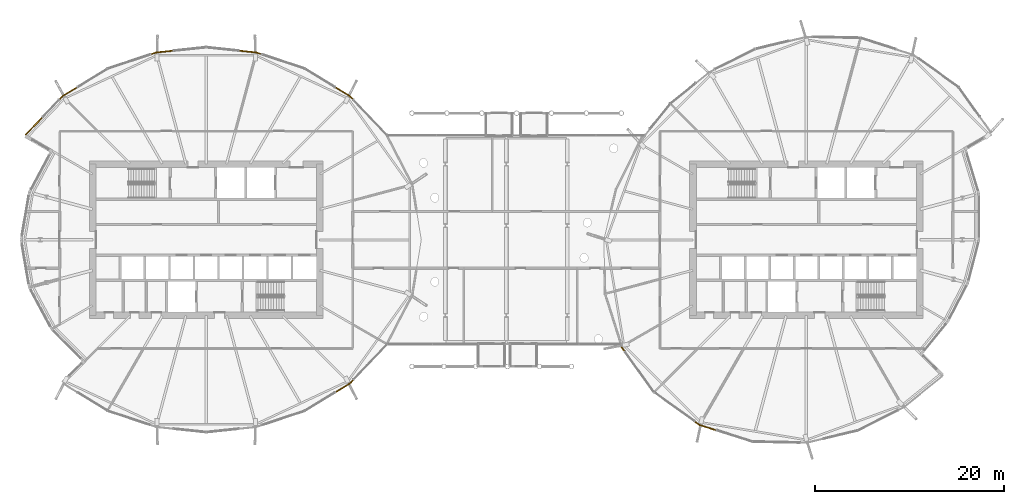
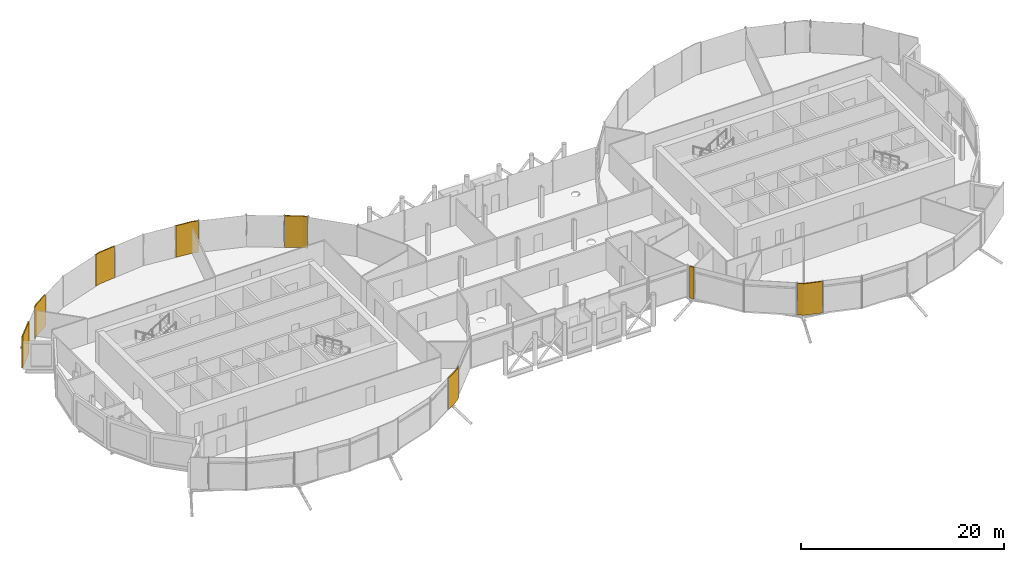
# One storey, part 38 of 40: 8 coverings.
"""IFC4 building model written with IfcOpenShell, lengths in metres."""

from ifc_helpers import new_model, si_unit, direction, frame, origin, place, context, subcontext, project, spatial, polyline, outline, extrude, material, layer, layer_set, type_object, element, save


model = new_model("IFC4")

# Units and contexts
model_context = context("Model", 3, precision=1e-05, world=origin(), true_north=direction((0.0, 1.0)))
body_context = subcontext(model_context, "Body", "Model", "MODEL_VIEW")
ifc_project = project(units=[si_unit("LENGTHUNIT", "METRE"), si_unit("AREAUNIT", "SQUARE_METRE"), si_unit("VOLUMEUNIT", "CUBIC_METRE"), si_unit("PLANEANGLEUNIT", "RADIAN"), si_unit("MASSUNIT", "GRAM", prefix="KILO")], contexts=[model_context])

# Site, building, storey
site_placement = place(None, origin())
site = spatial("IfcSite", under=ifc_project, at=site_placement, CompositionType="ELEMENT")
building_placement = place(site_placement, origin())
building = spatial("IfcBuilding", under=site, at=building_placement, Name="Rimbun Link Towers", CompositionType="ELEMENT")
storey_placement = place(building_placement, frame((0.0, 0.0, 150.60009765625)))
storey = spatial("IfcBuildingStorey", under=building, at=storey_placement, Name="L36", CompositionType="ELEMENT", Elevation=150.60009765625)

# Coverings
ifc_material = material(Name="Terracotta", Category="masonry")
ifc_layer = layer(ifc_material, 0.1201171875)
ifc_layer_set = layer_set([ifc_layer], Name="LINK PIER terracotta cladding 120")
covering_type = type_object("IfcCoveringType", Name="LINK PIER terracotta cladding 120", PredefinedType="CLADDING", material=ifc_layer_set)
covering_1_placement = place(storey_placement, origin())
element("IfcCovering", 1, at=covering_1_placement, inside=storey, type_object=covering_type, Name="LINK PIER cladding", PredefinedType="CLADDING", context=body_context, shape_type="SweptSolid", body=[
    extrude(outline(polyline([(-18.104248046875, 16.080322265625), (-16.595703125, 15.154296875), (-16.23583984375, 14.77880859375), (-16.1494140625, 14.86181640625), (-16.519775390625, 15.248291015625), (-18.04150390625, 16.1826171875), (-18.104248046875, 16.080322265625)])), origin(), (0.0, 0.0, 1.0), 3.7998046875),
])
covering_2_placement = place(storey_placement, origin())
element("IfcCovering", 2, at=covering_2_placement, inside=storey, type_object=covering_type, Name="LINK PIER cladding", PredefinedType="CLADDING", context=body_context, shape_type="SweptSolid", body=[
    extrude(outline(polyline([(-28.265869140625, 19.94873046875), (-26.455810546875, 19.758056640625), (-25.914794921875, 19.57861328125), (-25.877197265625, 19.692626953125), (-26.430419921875, 19.8759765625), (-28.25341796875, 20.06787109375), (-28.265869140625, 19.94873046875)])), origin(), (0.0, 0.0, 1.0), 3.7998046875),
])
covering_3_placement = place(storey_placement, origin())
element("IfcCovering", 3, at=covering_3_placement, inside=storey, type_object=covering_type, Name="LINK PIER cladding", PredefinedType="CLADDING", context=body_context, shape_type="SweptSolid", body=[
    extrude(outline(polyline([(-37.585205078125, 19.57861328125), (-37.044189453125, 19.758056640625), (-35.234130859375, 19.94873046875), (-35.24658203125, 20.06787109375), (-37.069580078125, 19.8759765625), (-37.622802734375, 19.692626953125), (-37.585205078125, 19.57861328125)])), origin(), (0.0, 0.0, 1.0), 3.7998046875),
])
covering_4_placement = place(storey_placement, origin())
element("IfcCovering", 4, at=covering_4_placement, inside=storey, type_object=covering_type, Name="LINK PIER cladding", PredefinedType="CLADDING", context=body_context, shape_type="SweptSolid", body=[
    extrude(outline(polyline([(-50.8359375, 11.052978515625), (-49.043701171875, 12.922607421875), (-49.13037109375, 13.005615234375), (-50.922607421875, 11.135986328125), (-50.8359375, 11.052978515625)])), origin(), (0.0, 0.0, 1.0), 3.7998046875),
])
covering_5_placement = place(storey_placement, origin())
element("IfcCovering", 5, at=covering_5_placement, inside=storey, type_object=covering_type, Name="LINK PIER cladding", PredefinedType="CLADDING", context=body_context, shape_type="SweptSolid", body=[
    extrude(outline(polyline([(-47.26416015625, 14.77880859375), (-46.904296875, 15.154296875), (-45.353271484375, 16.1064453125), (-45.416015625, 16.208740234375), (-46.980224609375, 15.248291015625), (-47.3505859375, 14.86181640625), (-47.26416015625, 14.77880859375)])), origin(), (0.0, 0.0, 1.0), 3.7998046875),
])
covering_6_placement = place(storey_placement, origin())
element("IfcCovering", 6, at=covering_6_placement, inside=storey, type_object=covering_type, Name="LINK PIER cladding", PredefinedType="CLADDING", context=body_context, shape_type="SweptSolid", body=[
    extrude(outline(polyline([(-16.23583984375, -14.77880859375), (-16.595703125, -15.154296875), (-18.104248046875, -16.080322265625), (-18.04150390625, -16.1826171875), (-16.519775390625, -15.248291015625), (-16.1494140625, -14.86181640625), (-16.23583984375, -14.77880859375)])), origin(), (0.0, 0.0, 1.0), 3.7998046875),
])
covering_7_placement = place(storey_placement, origin())
element("IfcCovering", 7, at=covering_7_placement, inside=storey, type_object=covering_type, Name="LINK PIER cladding", PredefinedType="CLADDING", context=body_context, shape_type="SweptSolid", body=[
    extrude(outline(polyline([(12.54296875, -11.744140625), (12.228271484375, -11.305419921875), (12.130615234375, -11.375244140625), (12.445556640625, -11.81396484375), (12.54296875, -11.744140625)])), origin(), (0.0, 0.0, 1.0), 3.7998046875),
])
covering_8_placement = place(storey_placement, origin())
element("IfcCovering", 8, at=covering_8_placement, inside=storey, type_object=covering_type, Name="LINK PIER cladding", PredefinedType="CLADDING", context=body_context, shape_type="SweptSolid", body=[
    extrude(outline(polyline([(22.2509765625, -20.10595703125), (20.468994140625, -19.539306640625), (19.96533203125, -19.177734375), (19.895263671875, -19.275390625), (20.41455078125, -19.64794921875), (22.214599609375, -20.220458984375), (22.2509765625, -20.10595703125)])), origin(), (0.0, 0.0, 1.0), 3.7998046875),
])

save(model, "model.ifc")
